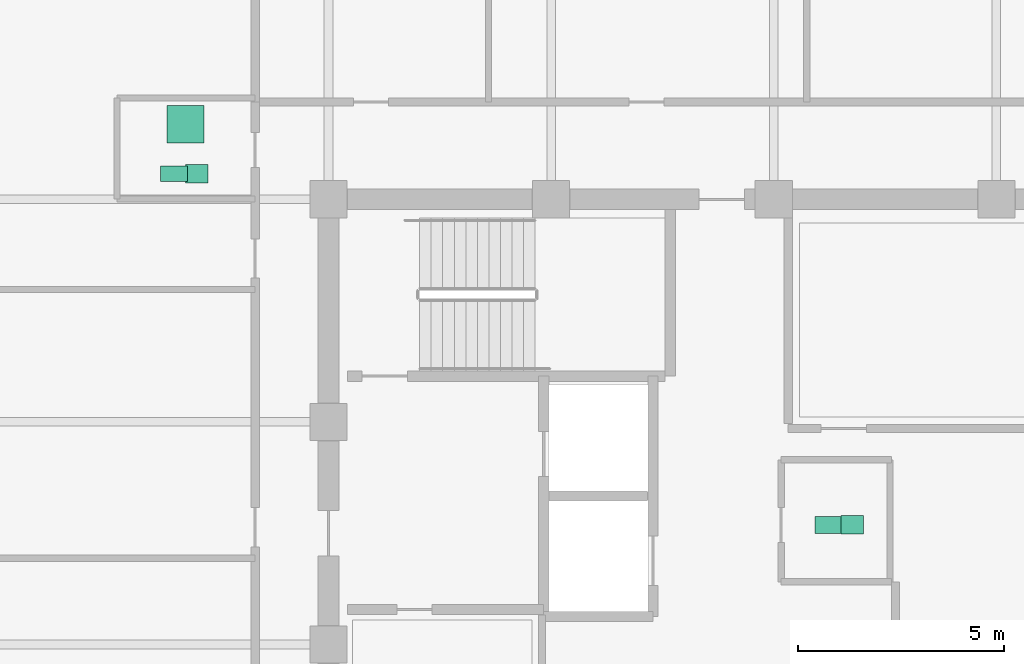
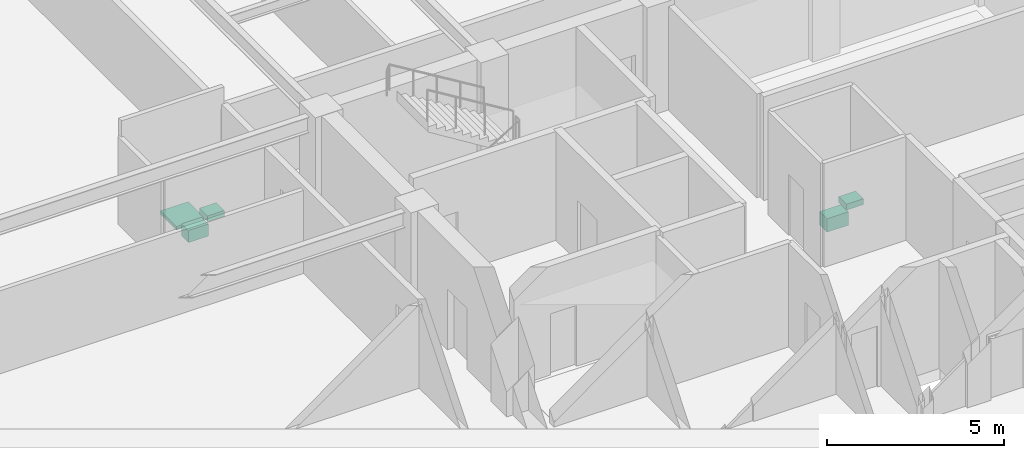
# One storey, part 33 of 34: 5 sanitary terminals.
"""IFC4 building model written with IfcOpenShell, lengths in metres."""

from ifc_helpers import new_model, si_unit, direction, frame, origin, origin_2d, place, context, subcontext, project, spatial, rectangle, extrude, material, type_object, element, save


model = new_model("IFC4")

# Units and contexts
model_context = context("Model", 3, precision=1e-05, world=origin(), true_north=direction((0.0, 1.0)))
body_context = subcontext(model_context, "Body", "Model", "MODEL_VIEW")
ifc_project = project(units=[si_unit("LENGTHUNIT", "METRE"), si_unit("AREAUNIT", "SQUARE_METRE"), si_unit("VOLUMEUNIT", "CUBIC_METRE"), si_unit("PLANEANGLEUNIT", "RADIAN"), si_unit("MASSUNIT", "GRAM", prefix="KILO")], contexts=[model_context])

# Site, building, storey
site_placement = place(None, origin())
site = spatial("IfcSite", under=ifc_project, at=site_placement, CompositionType="ELEMENT")
building_placement = place(site_placement, origin())
building = spatial("IfcBuilding", under=site, at=building_placement, Name="Surkhivell Harbour Commons", CompositionType="ELEMENT")
storey_placement = place(building_placement, frame((0.0, 0.0, 258.75)))
storey = spatial("IfcBuildingStorey", under=building, at=storey_placement, Name="L67", CompositionType="ELEMENT", Elevation=258.75)

# Sanitary terminals
ifc_material_1 = material(Name="Vitreous china washbasin", Category="other")
sanitary_terminal_type_1 = type_object("IfcSanitaryTerminalType", Name="SAN-BSN", PredefinedType="WASHHANDBASIN", material=ifc_material_1)
for number, where, z_axis, x_axis, name in (
    (1, (1.89990234375, 2.89990234375, 0.72021484375), (0.0, 0.0, 1.0), (1.0, 0.0, 0.0), "L67 Core Accessible WC Washbasin"),
    (2, (-14.0, 11.419921875, 0.72021484375), (0.0, 0.0, 1.0), (1.0, 0.0, 0.0), "L67 West Communal Bathroom WC Washbasin"),
):
    element("IfcSanitaryTerminal", number, at=place(storey_placement, frame(where, z_axis=z_axis, x_axis=x_axis)), inside=storey, type_object=sanitary_terminal_type_1, Name=name, PredefinedType="WASHHANDBASIN", context=body_context, shape_type="SweptSolid", body=[
        extrude(rectangle(XDim=0.550048828125, YDim=0.449951171875, at=origin_2d()), origin(), (0.0, 0.0, 1.0), 0.199951171875),
    ])
ifc_material_2 = material(Name="Glazed porcelain shower tray", Category="other")
sanitary_terminal_type_2 = type_object("IfcSanitaryTerminalType", Name="SAN-SHW", PredefinedType="SHOWER", material=ifc_material_2)
sanitary_terminal_1_placement = place(storey_placement, frame((-14.27001953125, 12.6201171875, 0.0), z_axis=(0.0, 0.0, 1.0), x_axis=(1.0, 0.0, 0.0)))
element("IfcSanitaryTerminal", 3, at=sanitary_terminal_1_placement, inside=storey, type_object=sanitary_terminal_type_2, Name="L67 West Communal Shower Tray", PredefinedType="SHOWER", context=body_context, shape_type="SweptSolid", body=[
    extrude(rectangle(XDim=0.89990234375, YDim=0.89990234375, at=origin_2d()), origin(), (0.0, 0.0, 1.0), 0.1201171875),
])
ifc_material_3 = material(Name="Vitreous china sanitaryware", Category="other")
sanitary_terminal_type_3 = type_object("IfcSanitaryTerminalType", Name="SAN-WC-ACC", PredefinedType="TOILETPAN", material=ifc_material_3)
sanitary_terminal_2_placement = place(storey_placement, frame((1.35009765625, 2.89990234375, 0.169921875), z_axis=(0.0, 0.0, 1.0), x_axis=(1.0, 0.0, 0.0)))
element("IfcSanitaryTerminal", 4, at=sanitary_terminal_2_placement, inside=storey, type_object=sanitary_terminal_type_3, Name="L67 Core Accessible WC", PredefinedType="TOILETPAN", context=body_context, shape_type="SweptSolid", body=[
    extrude(rectangle(XDim=0.699951171875, YDim=0.419921875, at=origin_2d()), origin(), (0.0, 0.0, 1.0), 0.4599609375),
])
sanitary_terminal_type_4 = type_object("IfcSanitaryTerminalType", Name="SAN-WC-STD", PredefinedType="TOILETPAN", material=ifc_material_3)
sanitary_terminal_3_placement = place(storey_placement, frame((-14.550048828125, 11.419921875, 0.18994140625), z_axis=(0.0, 0.0, 1.0), x_axis=(1.0, 0.0, 0.0)))
element("IfcSanitaryTerminal", 5, at=sanitary_terminal_3_placement, inside=storey, type_object=sanitary_terminal_type_4, Name="L67 West Communal Bathroom WC", PredefinedType="TOILETPAN", context=body_context, shape_type="SweptSolid", body=[
    extrude(rectangle(XDim=0.64990234375, YDim=0.3798828125, at=origin_2d()), origin(), (0.0, 0.0, 1.0), 0.419921875),
])

save(model, "model.ifc")
